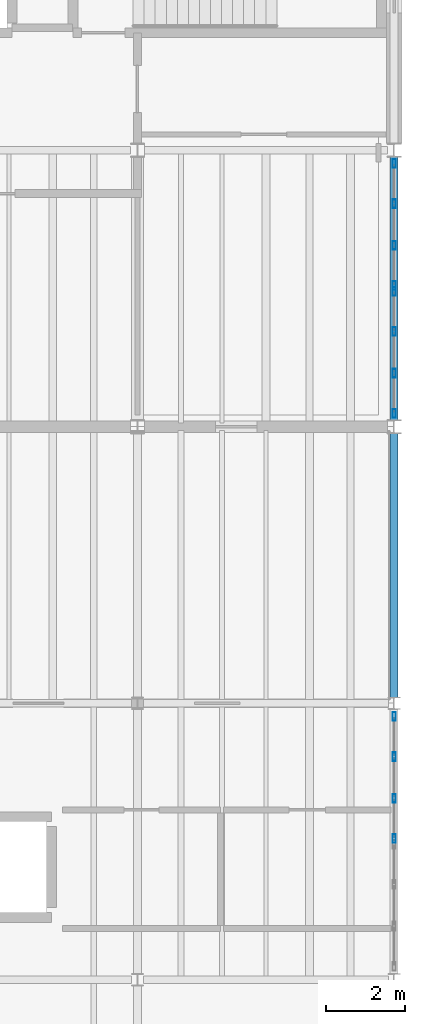
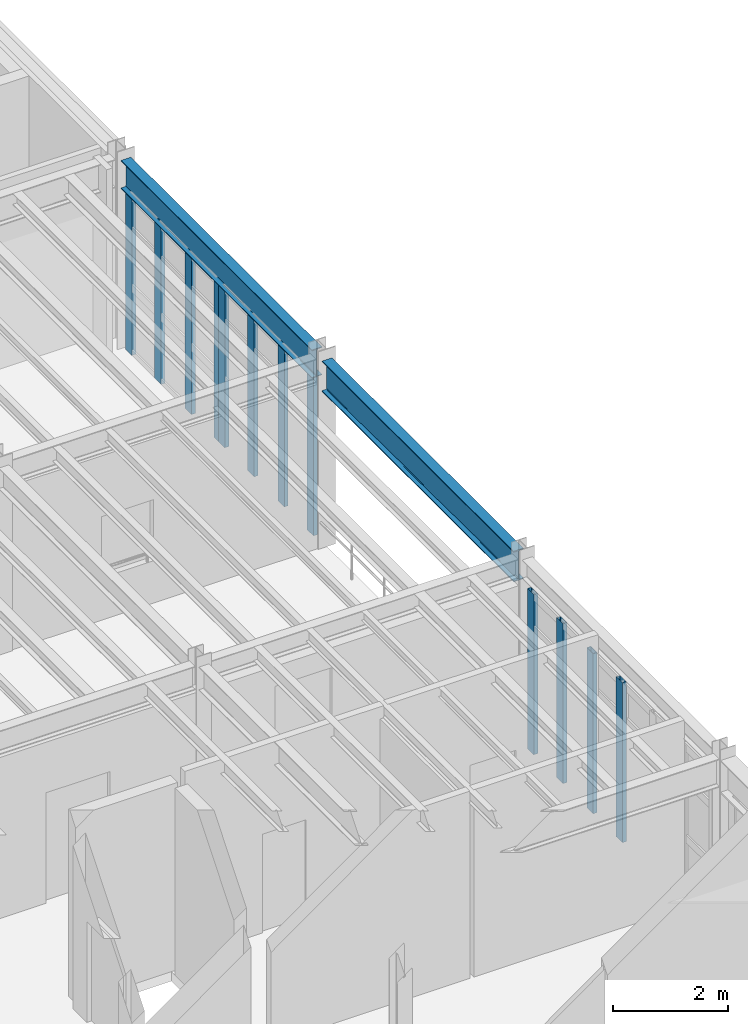
# One storey, part 16 of 27: 12 members, 2 beams, 3 elements without a shape of their own.
"""IFC4 building model written with IfcOpenShell, lengths in metres."""

from ifc_helpers import new_model, si_unit, direction, frame, origin, origin_2d, place, context, subcontext, project, spatial, hollow_rectangle, i_section, extrude, material, material_profile, profile_set, type_object, element, aggregate, save


model = new_model("IFC4")

# Units and contexts
model_context = context("Model", 3, precision=1e-05, world=origin(), true_north=direction((0.0, 1.0)))
body_context = subcontext(model_context, "Body", "Model", "MODEL_VIEW")
ifc_project = project(units=[si_unit("LENGTHUNIT", "METRE"), si_unit("AREAUNIT", "SQUARE_METRE"), si_unit("VOLUMEUNIT", "CUBIC_METRE"), si_unit("PLANEANGLEUNIT", "RADIAN"), si_unit("MASSUNIT", "GRAM", prefix="KILO"), si_unit("THERMODYNAMICTEMPERATUREUNIT", "KELVIN"), si_unit("POWERUNIT", "WATT")], contexts=[model_context])

# Site, building, storey
site_placement = place(None, origin())
site = spatial("IfcSite", under=ifc_project, at=site_placement, CompositionType="ELEMENT")
building_placement = place(site_placement, origin())
building = spatial("IfcBuilding", under=site, at=building_placement, Name="Zhenchuan Central Fire Station", CompositionType="ELEMENT")
storey_placement = place(building_placement, frame((0.0, 0.0, 14.25)))
storey = spatial("IfcBuildingStorey", under=building, at=storey_placement, Name="L04", CompositionType="ELEMENT", Elevation=14.25)

# Beams
ifc_material_1 = material(Name="Steel Q355B", Category="steel")
ifc_material_profile_1 = material_profile(ifc_material_1, i_section(OverallWidth=0.199951171875, OverallDepth=0.60009765625, WebThickness=0.010986328125, FlangeThickness=0.01708984375, FilletRadius=0.02197265625, at=origin_2d()), Name="HN 600x200")
ifc_profile_set_1 = profile_set([ifc_material_profile_1], Name="Steel Q355B")
beam_type_1 = type_object("IfcBeamType", Name="BM-HN600", PredefinedType="BEAM", material=ifc_profile_set_1)
beam_1_placement = place(storey_placement, frame((161.0, 42.675048828125, 3.699951171875), z_axis=(0.0, 1.0, 0.0), x_axis=(-1.0, 0.0, 0.0)))
element("IfcBeam", 1, at=beam_1_placement, inside=storey, type_object=beam_type_1, Name="L05 Girder NS 0486", PredefinedType="BEAM", context=body_context, shape_type="SweptSolid", body=[
    extrude(i_section(OverallWidth=0.199951171875, OverallDepth=0.60009765625, WebThickness=0.010986328125, FlangeThickness=0.01708984375, FilletRadius=0.02197265625, at=origin_2d()), origin(), (0.0, 0.0, 1.0), 6.64990234375),
])
ifc_material_profile_2 = material_profile(ifc_material_1, i_section(OverallWidth=0.199951171875, OverallDepth=0.64990234375, WebThickness=0.011962890625, FlangeThickness=0.02001953125, FilletRadius=0.02197265625, at=origin_2d()), Name="HN 650x200")
ifc_profile_set_2 = profile_set([ifc_material_profile_2], Name="Steel Q355B")
beam_type_2 = type_object("IfcBeamType", Name="BM-HN650-EXT", PredefinedType="BEAM", material=ifc_profile_set_2)
beam_2_placement = place(storey_placement, frame((161.0, 35.64990234375, 3.655029296875), z_axis=(0.0, 1.0, 0.0), x_axis=(-1.0, 0.0, 0.0)))
element("IfcBeam", 2, at=beam_2_placement, inside=storey, type_object=beam_type_2, Name="L05 Girder NS 0485", PredefinedType="BEAM", context=body_context, shape_type="SweptSolid", body=[
    extrude(i_section(OverallWidth=0.199951171875, OverallDepth=0.64990234375, WebThickness=0.011962890625, FlangeThickness=0.02001953125, FilletRadius=0.02197265625, at=origin_2d()), origin(), (0.0, 0.0, 1.0), 6.675048828125),
])

# Curtain wall, members
ifc_material_2 = material(Name="Anodised aluminium and low-E glazing", Category="aluminium")
curtain_wall_type_1 = type_object("IfcCurtainWallType", Name="CW-MOD-13", PredefinedType="USERDEFINED", material=ifc_material_2)
curtain_wall_1_placement = place(storey_placement, origin())
curtain_wall_1 = element("IfcCurtainWall", 3, at=curtain_wall_1_placement, inside=storey, type_object=curtain_wall_type_1, Name="L04 Unitised Curtain Wall 131", ObjectType="UNITISED GLAZING", PredefinedType="USERDEFINED")
ifc_material_3 = material(Name="Anodised aluminium EN AW-6063", Category="aluminium")
ifc_material_profile_3 = material_profile(ifc_material_3, hollow_rectangle(XDim=0.080078125, YDim=0.219970703125, WallThickness=0.005615234375, at=origin_2d()), Name="ALU-M 220x80")
ifc_profile_set_3 = profile_set([ifc_material_profile_3], Name="Anodised aluminium EN AW-6063")
member_type = type_object("IfcMemberType", Name="CW-MUL200", PredefinedType="MULLION", material=ifc_profile_set_3)
member_1_placement = place(storey_placement, frame((161.0, 32.075439453125, -0.00390625), z_axis=(0.0, 0.0, 1.0), x_axis=(-1.0, 0.0, 0.0)))
member_1 = element("IfcMember", 4, at=member_1_placement, type_object=member_type, Name="CW-13 mullion 1", PredefinedType="MULLION", context=body_context, shape_type="SweptSolid", body=[
    extrude(hollow_rectangle(XDim=0.080078125, YDim=0.219970703125, WallThickness=0.005615234375, at=origin_2d()), origin(), (0.0, 0.0, 1.0), 3.40380859375),
])
member_2_placement = place(storey_placement, frame((161.0, 33.092041015625, -0.00390625), z_axis=(0.0, 0.0, 1.0), x_axis=(-1.0, 0.0, 0.0)))
member_2 = element("IfcMember", 5, at=member_2_placement, type_object=member_type, Name="CW-13 mullion 2", PredefinedType="MULLION", context=body_context, shape_type="SweptSolid", body=[
    extrude(hollow_rectangle(XDim=0.080078125, YDim=0.219970703125, WallThickness=0.005615234375, at=origin_2d()), origin(), (0.0, 0.0, 1.0), 3.40380859375),
])
member_3_placement = place(storey_placement, frame((161.0, 34.14599609375, -0.00390625), z_axis=(0.0, 0.0, 1.0), x_axis=(-1.0, 0.0, 0.0)))
member_3 = element("IfcMember", 6, at=member_3_placement, type_object=member_type, Name="CW-13 mullion 3", PredefinedType="MULLION", context=body_context, shape_type="SweptSolid", body=[
    extrude(hollow_rectangle(XDim=0.080078125, YDim=0.219970703125, WallThickness=0.005615234375, at=origin_2d()), origin(), (0.0, 0.0, 1.0), 3.40380859375),
])
member_4_placement = place(storey_placement, frame((161.0, 35.16259765625, -0.00390625), z_axis=(0.0, 0.0, 1.0), x_axis=(-1.0, 0.0, 0.0)))
member_4 = element("IfcMember", 7, at=member_4_placement, type_object=member_type, Name="CW-13 mullion 4", PredefinedType="MULLION", context=body_context, shape_type="SweptSolid", body=[
    extrude(hollow_rectangle(XDim=0.080078125, YDim=0.219970703125, WallThickness=0.005615234375, at=origin_2d()), origin(), (0.0, 0.0, 1.0), 3.40380859375),
])
aggregate(curtain_wall_1, [member_1, member_2, member_3, member_4])

curtain_wall_type_2 = type_object("IfcCurtainWallType", Name="CW-MOD-14", PredefinedType="USERDEFINED", material=ifc_material_2)
curtain_wall_2_placement = place(storey_placement, origin())
curtain_wall_2 = element("IfcCurtainWall", 8, at=curtain_wall_2_placement, inside=storey, type_object=curtain_wall_type_2, Name="L04 Unitised Curtain Wall 146", ObjectType="UNITISED GLAZING", PredefinedType="USERDEFINED")
member_5_placement = place(storey_placement, frame((161.0, 42.83740234375, -0.00390625), z_axis=(0.0, 0.0, 1.0), x_axis=(-1.0, 0.0, 0.0)))
member_5 = element("IfcMember", 9, at=member_5_placement, type_object=member_type, Name="CW-14 mullion 1", PredefinedType="MULLION", context=body_context, shape_type="SweptSolid", body=[
    extrude(hollow_rectangle(XDim=0.080078125, YDim=0.219970703125, WallThickness=0.005615234375, at=origin_2d()), origin(), (0.0, 0.0, 1.0), 3.39794921875),
])
member_6_placement = place(storey_placement, frame((161.0, 43.85400390625, -0.00390625), z_axis=(0.0, 0.0, 1.0), x_axis=(-1.0, 0.0, 0.0)))
member_6 = element("IfcMember", 10, at=member_6_placement, type_object=member_type, Name="CW-14 mullion 2", PredefinedType="MULLION", context=body_context, shape_type="SweptSolid", body=[
    extrude(hollow_rectangle(XDim=0.080078125, YDim=0.219970703125, WallThickness=0.005615234375, at=origin_2d()), origin(), (0.0, 0.0, 1.0), 3.39794921875),
])
member_7_placement = place(storey_placement, frame((161.0, 44.907958984375, -0.00390625), z_axis=(0.0, 0.0, 1.0), x_axis=(-1.0, 0.0, 0.0)))
member_7 = element("IfcMember", 11, at=member_7_placement, type_object=member_type, Name="CW-14 mullion 3", PredefinedType="MULLION", context=body_context, shape_type="SweptSolid", body=[
    extrude(hollow_rectangle(XDim=0.080078125, YDim=0.219970703125, WallThickness=0.005615234375, at=origin_2d()), origin(), (0.0, 0.0, 1.0), 3.39794921875),
])
member_8_placement = place(storey_placement, frame((161.0, 45.924560546875, -0.00390625), z_axis=(0.0, 0.0, 1.0), x_axis=(-1.0, 0.0, 0.0)))
member_8 = element("IfcMember", 12, at=member_8_placement, type_object=member_type, Name="CW-14 mullion 4", PredefinedType="MULLION", context=body_context, shape_type="SweptSolid", body=[
    extrude(hollow_rectangle(XDim=0.080078125, YDim=0.219970703125, WallThickness=0.005615234375, at=origin_2d()), origin(), (0.0, 0.0, 1.0), 3.39794921875),
])
aggregate(curtain_wall_2, [member_5, member_6, member_7, member_8])

curtain_wall_type_3 = type_object("IfcCurtainWallType", Name="CW-MOD-15", PredefinedType="USERDEFINED", material=ifc_material_2)
curtain_wall_3_placement = place(storey_placement, origin())
curtain_wall_3 = element("IfcCurtainWall", 13, at=curtain_wall_3_placement, inside=storey, type_object=curtain_wall_type_3, Name="L04 Unitised Curtain Wall 147", ObjectType="UNITISED GLAZING", PredefinedType="USERDEFINED")
member_9_placement = place(storey_placement, frame((161.0, 46.075439453125, -0.00390625), z_axis=(0.0, 0.0, 1.0), x_axis=(-1.0, 0.0, 0.0)))
member_9 = element("IfcMember", 14, at=member_9_placement, type_object=member_type, Name="CW-15 mullion 1", PredefinedType="MULLION", context=body_context, shape_type="SweptSolid", body=[
    extrude(hollow_rectangle(XDim=0.080078125, YDim=0.219970703125, WallThickness=0.005615234375, at=origin_2d()), origin(), (0.0, 0.0, 1.0), 3.39794921875),
])
member_10_placement = place(storey_placement, frame((161.0, 47.092041015625, -0.00390625), z_axis=(0.0, 0.0, 1.0), x_axis=(-1.0, 0.0, 0.0)))
member_10 = element("IfcMember", 15, at=member_10_placement, type_object=member_type, Name="CW-15 mullion 2", PredefinedType="MULLION", context=body_context, shape_type="SweptSolid", body=[
    extrude(hollow_rectangle(XDim=0.080078125, YDim=0.219970703125, WallThickness=0.005615234375, at=origin_2d()), origin(), (0.0, 0.0, 1.0), 3.39794921875),
])
member_11_placement = place(storey_placement, frame((161.0, 48.14599609375, -0.00390625), z_axis=(0.0, 0.0, 1.0), x_axis=(-1.0, 0.0, 0.0)))
member_11 = element("IfcMember", 16, at=member_11_placement, type_object=member_type, Name="CW-15 mullion 3", PredefinedType="MULLION", context=body_context, shape_type="SweptSolid", body=[
    extrude(hollow_rectangle(XDim=0.080078125, YDim=0.219970703125, WallThickness=0.005615234375, at=origin_2d()), origin(), (0.0, 0.0, 1.0), 3.39794921875),
])
member_12_placement = place(storey_placement, frame((161.0, 49.16259765625, -0.00390625), z_axis=(0.0, 0.0, 1.0), x_axis=(-1.0, 0.0, 0.0)))
member_12 = element("IfcMember", 17, at=member_12_placement, type_object=member_type, Name="CW-15 mullion 4", PredefinedType="MULLION", context=body_context, shape_type="SweptSolid", body=[
    extrude(hollow_rectangle(XDim=0.080078125, YDim=0.219970703125, WallThickness=0.005615234375, at=origin_2d()), origin(), (0.0, 0.0, 1.0), 3.39794921875),
])
aggregate(curtain_wall_3, [member_9, member_10, member_11, member_12])

save(model, "model.ifc")
